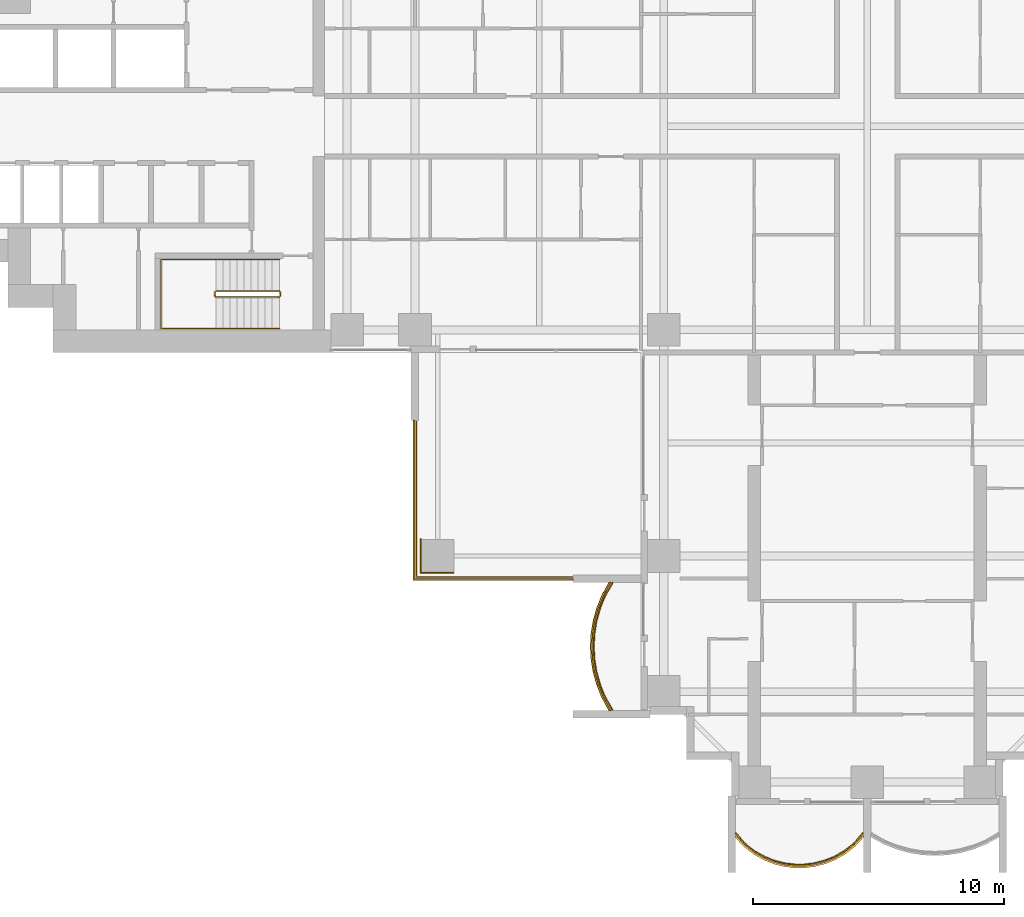
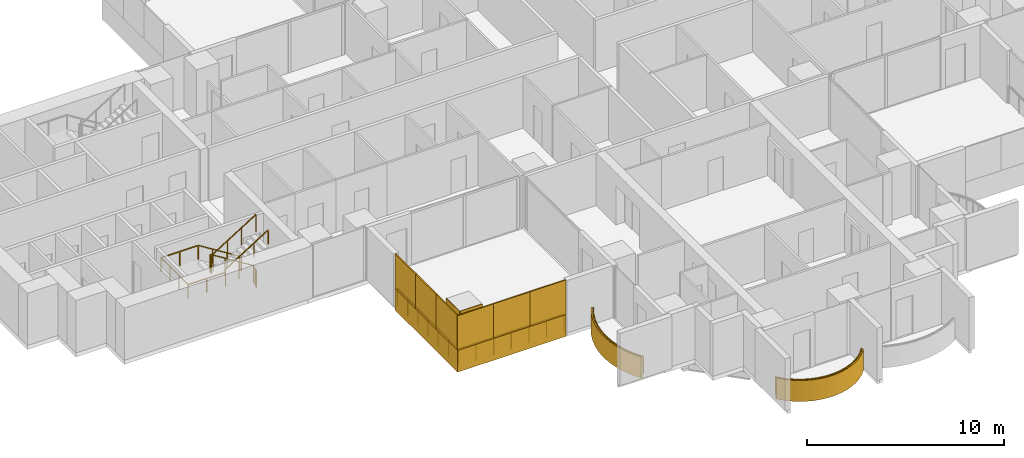
# One storey, part 18 of 21: 11 coverings, 5 railings.
"""IFC4 building model written with IfcOpenShell, lengths in metres."""

from ifc_helpers import new_model, si_unit, direction, frame, origin, origin_2d, place, context, subcontext, project, spatial, polyline, rectangle, outline, extrude, material, layer, layer_set, type_object, element, save


model = new_model("IFC4")

# Units and contexts
model_context = context("Model", 3, precision=1e-05, world=origin(), true_north=direction((0.0, 1.0)))
body_context = subcontext(model_context, "Body", "Model", "MODEL_VIEW")
ifc_project = project(units=[si_unit("LENGTHUNIT", "METRE"), si_unit("AREAUNIT", "SQUARE_METRE"), si_unit("VOLUMEUNIT", "CUBIC_METRE"), si_unit("PLANEANGLEUNIT", "RADIAN"), si_unit("MASSUNIT", "GRAM", prefix="KILO")], contexts=[model_context])

# Site, building, storey
site_placement = place(None, origin())
site = spatial("IfcSite", under=ifc_project, at=site_placement, CompositionType="ELEMENT")
building_placement = place(site_placement, origin())
building = spatial("IfcBuilding", under=site, at=building_placement, Name="Perihelion Cross Residences", CompositionType="ELEMENT")
storey_placement = place(building_placement, frame((0.0, 0.0, 43.5)))
storey = spatial("IfcBuildingStorey", under=building, at=storey_placement, Name="L07", CompositionType="ELEMENT", Elevation=43.5)

# Coverings
ifc_material_1 = material(Name="Bronze anodised aluminium", Category="aluminium")
ifc_layer_1 = layer(ifc_material_1, 0.070068359375)
ifc_layer_set_1 = layer_set([ifc_layer_1], Name="Balcony fascia 1300")
covering_type_1 = type_object("IfcCoveringType", Name="Balcony fascia 1300", PredefinedType="CLADDING", material=ifc_layer_set_1)
covering_1_placement = place(storey_placement, frame((0.0, 0.0, -0.199951171875)))
element("IfcCovering", 1, at=covering_1_placement, inside=storey, type_object=covering_type_1, Name="Fascia BF1 L07 south side west bay 2", PredefinedType="CLADDING", context=body_context, shape_type="SweptSolid", body=[
    extrude(outline(polyline([(-10.54833984375, -18.629638671875), (-10.7607421875, -19.147216796875), (-10.906494140625, -19.664794921875), (-10.991943359375, -20.182373046875), (-11.02001953125, -20.699951171875), (-10.991943359375, -21.217529296875), (-10.906494140625, -21.735107421875), (-10.7607421875, -22.2529296875), (-10.54833984375, -22.7705078125), (-10.2802734375, -23.25), (-10.199951171875, -23.25), (-10.4853515625, -22.739990234375), (-10.694580078125, -22.22998046875), (-10.838134765625, -21.719970703125), (-10.92236328125, -21.2099609375), (-10.949951171875, -20.699951171875), (-10.92236328125, -20.18994140625), (-10.838134765625, -19.679931640625), (-10.694580078125, -19.169921875), (-10.4853515625, -18.659912109375), (-10.199951171875, -18.14990234375), (-10.2802734375, -18.14990234375), (-10.54833984375, -18.629638671875)])), origin(), (0.0, 0.0, 1.0), 1.300048828125),
])
covering_2_placement = place(storey_placement, frame((0.0, 0.0, -0.199951171875)))
element("IfcCovering", 2, at=covering_2_placement, inside=storey, type_object=covering_type_1, Name="Fascia BF1 L07 south tip south bay 1", PredefinedType="CLADDING", context=body_context, shape_type="SweptSolid", body=[
    extrude(outline(polyline([(-4.90478515625, -28.674072265625), (-4.50390625, -28.982666015625), (-4.10302734375, -29.20654296875), (-3.7021484375, -29.364013671875), (-3.30126953125, -29.464599609375), (-2.900390625, -29.513916015625), (-2.49951171875, -29.513916015625), (-2.0986328125, -29.464599609375), (-1.69775390625, -29.364013671875), (-1.296875, -29.20654296875), (-0.89599609375, -28.982666015625), (-0.4951171875, -28.674072265625), (-0.14990234375, -28.302734375), (-0.14990234375, -28.199951171875), (-0.542236328125, -28.622314453125), (-0.9345703125, -28.924072265625), (-1.326904296875, -29.143310546875), (-1.71923828125, -29.29736328125), (-2.111572265625, -29.39599609375), (-2.50390625, -29.444091796875), (-2.896240234375, -29.444091796875), (-3.28857421875, -29.39599609375), (-3.6806640625, -29.29736328125), (-4.072998046875, -29.143310546875), (-4.46533203125, -28.924072265625), (-4.857666015625, -28.622314453125), (-5.25, -28.199951171875), (-5.25, -28.302734375), (-4.90478515625, -28.674072265625)])), origin(), (0.0, 0.0, 1.0), 1.300048828125),
])

# Railings
ifc_material_2 = material(Name="Bronze anodised aluminium", Category="aluminium")
railing_type_1 = type_object("IfcRailingType", Name="Balcony guard 1100", PredefinedType="GUARDRAIL", material=ifc_material_2)
railing_1_placement = place(storey_placement, frame((-10.139892578125, -18.175048828125, 0.0)))
element("IfcRailing", 3, at=railing_1_placement, inside=storey, type_object=railing_type_1, Name="Guard GU1 L07 south side west bay 2 balcony", PredefinedType="GUARDRAIL", context=body_context, shape_type="SweptSolid", body=[
    extrude(rectangle(XDim=0.048095703125, YDim=0.048095703125, at=origin_2d()), frame((0.0, 0.0, 1.076171875), z_axis=(-0.507266632806, -0.861789164031, 0.0), x_axis=(0.861789164031, -0.507266632806, 0.0)), (0.0, 0.0, 1.0), 0.562744140625),
    extrude(rectangle(XDim=0.048095703125, YDim=0.048095703125, at=origin_2d()), frame((-0.285400390625, -0.48486328125, 1.076171875), z_axis=(-0.379546636342, -0.925172605972, 0.0), x_axis=(0.925172605972, -0.379546636342, 0.0)), (0.0, 0.0, 1.0), 0.55126953125),
    extrude(rectangle(XDim=0.048095703125, YDim=0.048095703125, at=origin_2d()), frame((-0.49462890625, -0.994873046875, 1.076171875), z_axis=(-0.271372618732, -0.962474364231, 0.0), x_axis=(0.962474364231, -0.271372618732, 0.0)), (0.0, 0.0, 1.0), 0.52978515625),
    extrude(rectangle(XDim=0.048095703125, YDim=0.048095703125, at=origin_2d()), frame((-0.638427734375, -1.5048828125, 1.076171875), z_axis=(-0.162483799314, -0.986711211531, 0.0), x_axis=(0.986711211531, -0.162483799314, 0.0)), (0.0, 0.0, 1.0), 0.516845703125),
    extrude(rectangle(XDim=0.048095703125, YDim=0.048095703125, at=origin_2d()), frame((-0.722412109375, -2.014892578125, 1.076171875), z_axis=(-0.05401390175, -0.998540183677, 0.0), x_axis=(0.998540183677, -0.05401390175, 0.0)), (0.0, 0.0, 1.0), 0.5107421875),
    extrude(rectangle(XDim=0.048095703125, YDim=0.048095703125, at=origin_2d()), frame((-0.75, -2.52490234375, 1.076171875), z_axis=(0.05401390175, -0.998540183677, 0.0), x_axis=(0.998540183677, 0.05401390175, 0.0)), (0.0, 0.0, 1.0), 0.5107421875),
    extrude(rectangle(XDim=0.048095703125, YDim=0.048095703125, at=origin_2d()), frame((-0.722412109375, -3.034912109375, 1.076171875), z_axis=(0.162483799314, -0.986711211531, 0.0), x_axis=(0.986711211531, 0.162483799314, 0.0)), (0.0, 0.0, 1.0), 0.516845703125),
    extrude(rectangle(XDim=0.048095703125, YDim=0.048095703125, at=origin_2d()), frame((-0.638427734375, -3.544921875, 1.076171875), z_axis=(0.271372618732, -0.962474364231, 0.0), x_axis=(0.962474364231, 0.271372618732, 0.0)), (0.0, 0.0, 1.0), 0.52978515625),
    extrude(rectangle(XDim=0.048095703125, YDim=0.048095703125, at=origin_2d()), frame((-0.49462890625, -4.054931640625, 1.076171875), z_axis=(0.379546636342, -0.925172605972, 0.0), x_axis=(0.925172605972, 0.379546636342, 0.0)), (0.0, 0.0, 1.0), 0.55126953125),
    extrude(rectangle(XDim=0.048095703125, YDim=0.048095703125, at=origin_2d()), frame((-0.285400390625, -4.56494140625, 1.076171875), z_axis=(0.507076995033, -0.861900760591, 0.0), x_axis=(0.861900760591, 0.507076995033, 0.0)), (0.0, 0.0, 1.0), 0.562744140625),
    extrude(rectangle(XDim=0.0419921875, YDim=0.0419921875, at=origin_2d()), origin(), (0.0, 0.0, 1.0), 1.052001953125),
    extrude(rectangle(XDim=0.0419921875, YDim=0.0419921875, at=origin_2d()), frame((-0.285400390625, -0.48486328125, 0.0)), (0.0, 0.0, 1.0), 1.052001953125),
    extrude(rectangle(XDim=0.0419921875, YDim=0.0419921875, at=origin_2d()), frame((-0.49462890625, -0.994873046875, 0.0)), (0.0, 0.0, 1.0), 1.052001953125),
    extrude(rectangle(XDim=0.0419921875, YDim=0.0419921875, at=origin_2d()), frame((-0.638427734375, -1.5048828125, 0.0)), (0.0, 0.0, 1.0), 1.052001953125),
    extrude(rectangle(XDim=0.0419921875, YDim=0.0419921875, at=origin_2d()), frame((-0.722412109375, -2.014892578125, 0.0)), (0.0, 0.0, 1.0), 1.052001953125),
    extrude(rectangle(XDim=0.0419921875, YDim=0.0419921875, at=origin_2d()), frame((-0.75, -2.52490234375, 0.0)), (0.0, 0.0, 1.0), 1.052001953125),
    extrude(rectangle(XDim=0.0419921875, YDim=0.0419921875, at=origin_2d()), frame((-0.722412109375, -3.034912109375, 0.0)), (0.0, 0.0, 1.0), 1.052001953125),
    extrude(rectangle(XDim=0.0419921875, YDim=0.0419921875, at=origin_2d()), frame((-0.638427734375, -3.544921875, 0.0)), (0.0, 0.0, 1.0), 1.052001953125),
    extrude(rectangle(XDim=0.0419921875, YDim=0.0419921875, at=origin_2d()), frame((-0.49462890625, -4.054931640625, 0.0)), (0.0, 0.0, 1.0), 1.052001953125),
    extrude(rectangle(XDim=0.0419921875, YDim=0.0419921875, at=origin_2d()), frame((-0.285400390625, -4.56494140625, 0.0)), (0.0, 0.0, 1.0), 1.052001953125),
    extrude(rectangle(XDim=0.0419921875, YDim=0.0419921875, at=origin_2d()), frame((0.0, -5.050048828125, 0.0)), (0.0, 0.0, 1.0), 1.052001953125),
])
railing_2_placement = place(storey_placement, frame((-5.22509765625, -28.139892578125, 0.0)))
element("IfcRailing", 4, at=railing_2_placement, inside=storey, type_object=railing_type_1, Name="Guard GU1 L07 south tip south bay 1 balcony", PredefinedType="GUARDRAIL", context=body_context, shape_type="SweptSolid", body=[
    extrude(rectangle(XDim=0.048095703125, YDim=0.048095703125, at=origin_2d()), frame((0.0, 0.0, 1.076171875), z_axis=(0.656340655493, -0.754464673757, 0.0), x_axis=(0.754464673757, 0.656340655493, 0.0)), (0.0, 0.0, 1.0), 0.559814453125),
    extrude(rectangle(XDim=0.048095703125, YDim=0.048095703125, at=origin_2d()), frame((0.367431640625, -0.42236328125, 1.076171875), z_axis=(0.792660660899, -0.60966308455, 0.0), x_axis=(0.60966308455, 0.792660660899, 0.0)), (0.0, 0.0, 1.0), 0.494873046875),
    extrude(rectangle(XDim=0.048095703125, YDim=0.048095703125, at=origin_2d()), frame((0.759765625, -0.72412109375, 1.076171875), z_axis=(0.872950285698, -0.487809182674, 0.0), x_axis=(0.487809182674, 0.872950285698, 0.0)), (0.0, 0.0, 1.0), 0.449462890625),
    extrude(rectangle(XDim=0.048095703125, YDim=0.048095703125, at=origin_2d()), frame((1.152099609375, -0.943359375, 1.076171875), z_axis=(0.930814842219, -0.365491079925, 0.0), x_axis=(0.365491079925, 0.930814842219, 0.0)), (0.0, 0.0, 1.0), 0.42138671875),
    extrude(rectangle(XDim=0.048095703125, YDim=0.048095703125, at=origin_2d()), frame((1.54443359375, -1.097412109375, 1.076171875), z_axis=(0.969786252666, -0.243956193074, 0.0), x_axis=(0.243956193074, 0.969786252666, 0.0)), (0.0, 0.0, 1.0), 0.404296875),
    extrude(rectangle(XDim=0.048095703125, YDim=0.048095703125, at=origin_2d()), frame((1.9365234375, -1.196044921875, 1.076171875), z_axis=(0.992569651699, -0.121677797999, 0.0), x_axis=(0.121677797999, 0.992569651699, 0.0)), (0.0, 0.0, 1.0), 0.395263671875),
    extrude(rectangle(XDim=0.048095703125, YDim=0.048095703125, at=origin_2d()), frame((2.328857421875, -1.244140625, 1.076171875), z_axis=(1.0, 0.0, 0.0), x_axis=(0.0, 1.0, 0.0)), (0.0, 0.0, 1.0), 0.392333984375),
    extrude(rectangle(XDim=0.048095703125, YDim=0.048095703125, at=origin_2d()), frame((2.72119140625, -1.244140625, 1.076171875), z_axis=(0.992569651699, 0.121677797999, 0.0), x_axis=(-0.121677797999, 0.992569651699, 0.0)), (0.0, 0.0, 1.0), 0.395263671875),
    extrude(rectangle(XDim=0.048095703125, YDim=0.048095703125, at=origin_2d()), frame((3.113525390625, -1.196044921875, 1.076171875), z_axis=(0.969822159145, 0.243813411509, 0.0), x_axis=(-0.243813411509, 0.969822159145, 0.0)), (0.0, 0.0, 1.0), 0.404541015625),
    extrude(rectangle(XDim=0.048095703125, YDim=0.048095703125, at=origin_2d()), frame((3.505859375, -1.097412109375, 1.076171875), z_axis=(0.930814842219, 0.365491079925, 0.0), x_axis=(-0.365491079925, 0.930814842219, 0.0)), (0.0, 0.0, 1.0), 0.42138671875),
    extrude(rectangle(XDim=0.048095703125, YDim=0.048095703125, at=origin_2d()), frame((3.898193359375, -0.943359375, 1.076171875), z_axis=(0.872950285698, 0.487809182674, 0.0), x_axis=(-0.487809182674, 0.872950285698, 0.0)), (0.0, 0.0, 1.0), 0.449462890625),
    extrude(rectangle(XDim=0.048095703125, YDim=0.048095703125, at=origin_2d()), frame((4.29052734375, -0.72412109375, 1.076171875), z_axis=(0.792660660899, 0.60966308455, 0.0), x_axis=(-0.60966308455, 0.792660660899, 0.0)), (0.0, 0.0, 1.0), 0.494873046875),
    extrude(rectangle(XDim=0.048095703125, YDim=0.048095703125, at=origin_2d()), frame((4.682861328125, -0.42236328125, 1.076171875), z_axis=(0.656092309534, 0.754680648599, 0.0), x_axis=(-0.754680648599, 0.656092309534, 0.0)), (0.0, 0.0, 1.0), 0.5595703125),
    extrude(rectangle(XDim=0.0419921875, YDim=0.0419921875, at=origin_2d()), origin(), (0.0, 0.0, 1.0), 1.052001953125),
    extrude(rectangle(XDim=0.0419921875, YDim=0.0419921875, at=origin_2d()), frame((0.367431640625, -0.42236328125, 0.0)), (0.0, 0.0, 1.0), 1.052001953125),
    extrude(rectangle(XDim=0.0419921875, YDim=0.0419921875, at=origin_2d()), frame((0.759765625, -0.72412109375, 0.0)), (0.0, 0.0, 1.0), 1.052001953125),
    extrude(rectangle(XDim=0.0419921875, YDim=0.0419921875, at=origin_2d()), frame((1.152099609375, -0.943359375, 0.0)), (0.0, 0.0, 1.0), 1.052001953125),
    extrude(rectangle(XDim=0.0419921875, YDim=0.0419921875, at=origin_2d()), frame((1.54443359375, -1.097412109375, 0.0)), (0.0, 0.0, 1.0), 1.052001953125),
    extrude(rectangle(XDim=0.0419921875, YDim=0.0419921875, at=origin_2d()), frame((1.9365234375, -1.196044921875, 0.0)), (0.0, 0.0, 1.0), 1.052001953125),
    extrude(rectangle(XDim=0.0419921875, YDim=0.0419921875, at=origin_2d()), frame((2.328857421875, -1.244140625, 0.0)), (0.0, 0.0, 1.0), 1.052001953125),
    extrude(rectangle(XDim=0.0419921875, YDim=0.0419921875, at=origin_2d()), frame((2.72119140625, -1.244140625, 0.0)), (0.0, 0.0, 1.0), 1.052001953125),
    extrude(rectangle(XDim=0.0419921875, YDim=0.0419921875, at=origin_2d()), frame((3.113525390625, -1.196044921875, 0.0)), (0.0, 0.0, 1.0), 1.052001953125),
    extrude(rectangle(XDim=0.0419921875, YDim=0.0419921875, at=origin_2d()), frame((3.505859375, -1.097412109375, 0.0)), (0.0, 0.0, 1.0), 1.052001953125),
    extrude(rectangle(XDim=0.0419921875, YDim=0.0419921875, at=origin_2d()), frame((3.898193359375, -0.943359375, 0.0)), (0.0, 0.0, 1.0), 1.052001953125),
    extrude(rectangle(XDim=0.0419921875, YDim=0.0419921875, at=origin_2d()), frame((4.29052734375, -0.72412109375, 0.0)), (0.0, 0.0, 1.0), 1.052001953125),
    extrude(rectangle(XDim=0.0419921875, YDim=0.0419921875, at=origin_2d()), frame((4.682861328125, -0.42236328125, 0.0)), (0.0, 0.0, 1.0), 1.052001953125),
    extrude(rectangle(XDim=0.0419921875, YDim=0.0419921875, at=origin_2d()), frame((5.050048828125, 0.0, 0.0)), (0.0, 0.0, 1.0), 1.052001953125),
])
railing_3_placement = place(storey_placement, frame((-11.739990234375, -17.93994140625, 0.0)))
element("IfcRailing", 5, at=railing_3_placement, inside=storey, type_object=railing_type_1, Name="Guard GU1 L07 pocket south-west 1", PredefinedType="GUARDRAIL", context=body_context, shape_type="SweptSolid", body=[
    extrude(rectangle(XDim=0.048095703125, YDim=0.048095703125, at=origin_2d()), frame((0.0, 0.0, 1.076171875), z_axis=(-1.0, 0.0, 0.0), x_axis=(0.0, -1.0, 0.0)), (0.0, 0.0, 1.0), 6.199951171875),
    extrude(rectangle(XDim=0.048095703125, YDim=0.048095703125, at=origin_2d()), frame((-6.199951171875, 0.0, 1.076171875), z_axis=(0.0, 1.0, 0.0), x_axis=(-1.0, 0.0, 0.0)), (0.0, 0.0, 1.0), 6.199951171875),
    extrude(rectangle(XDim=0.0419921875, YDim=0.0419921875, at=origin_2d()), origin(), (0.0, 0.0, 1.0), 1.052001953125),
    extrude(rectangle(XDim=0.0419921875, YDim=0.0419921875, at=origin_2d()), frame((-1.033203125, 0.0, 0.0)), (0.0, 0.0, 1.0), 1.052001953125),
    extrude(rectangle(XDim=0.0419921875, YDim=0.0419921875, at=origin_2d()), frame((-2.066650390625, 0.0, 0.0)), (0.0, 0.0, 1.0), 1.052001953125),
    extrude(rectangle(XDim=0.0419921875, YDim=0.0419921875, at=origin_2d()), frame((-3.10009765625, 0.0, 0.0)), (0.0, 0.0, 1.0), 1.052001953125),
    extrude(rectangle(XDim=0.0419921875, YDim=0.0419921875, at=origin_2d()), frame((-4.13330078125, 0.0, 0.0)), (0.0, 0.0, 1.0), 1.052001953125),
    extrude(rectangle(XDim=0.0419921875, YDim=0.0419921875, at=origin_2d()), frame((-5.16650390625, 0.0, 0.0)), (0.0, 0.0, 1.0), 1.052001953125),
    extrude(rectangle(XDim=0.0419921875, YDim=0.0419921875, at=origin_2d()), frame((-6.199951171875, 0.0, 0.0)), (0.0, 0.0, 1.0), 1.052001953125),
    extrude(rectangle(XDim=0.0419921875, YDim=0.0419921875, at=origin_2d()), frame((-6.199951171875, 1.033203125, 0.0)), (0.0, 0.0, 1.0), 1.052001953125),
    extrude(rectangle(XDim=0.0419921875, YDim=0.0419921875, at=origin_2d()), frame((-6.199951171875, 2.066650390625, 0.0)), (0.0, 0.0, 1.0), 1.052001953125),
    extrude(rectangle(XDim=0.0419921875, YDim=0.0419921875, at=origin_2d()), frame((-6.199951171875, 3.10009765625, 0.0)), (0.0, 0.0, 1.0), 1.052001953125),
    extrude(rectangle(XDim=0.0419921875, YDim=0.0419921875, at=origin_2d()), frame((-6.199951171875, 4.13330078125, 0.0)), (0.0, 0.0, 1.0), 1.052001953125),
    extrude(rectangle(XDim=0.0419921875, YDim=0.0419921875, at=origin_2d()), frame((-6.199951171875, 5.16650390625, 0.0)), (0.0, 0.0, 1.0), 1.052001953125),
    extrude(rectangle(XDim=0.0419921875, YDim=0.0419921875, at=origin_2d()), frame((-6.199951171875, 6.199951171875, 0.0)), (0.0, 0.0, 1.0), 1.052001953125),
])

# Coverings
ifc_material_3 = material(Name="Bronze anodised aluminium", Category="aluminium")
ifc_layer_2 = layer(ifc_material_3, 0.0400390625)
ifc_layer_set_2 = layer_set([ifc_layer_2], Name="Bronze column casing 40")
covering_type_2 = type_object("IfcCoveringType", Name="Bronze column casing 40", PredefinedType="CLADDING", material=ifc_layer_set_2)
covering_3_placement = place(storey_placement, frame((-17.77001953125, -17.10009765625, -0.25), z_axis=(0.0, 0.0, 1.0), x_axis=(1.0, 0.0, 0.0)))
element("IfcCovering", 6, at=covering_3_placement, inside=storey, type_object=covering_type_2, Name="Cladding CC1 L07 casing east-west no. 1", PredefinedType="CLADDING", context=body_context, shape_type="SweptSolid", body=[
    extrude(rectangle(XDim=0.0400390625, YDim=1.3798828125, at=origin_2d()), origin(), (0.0, 0.0, 1.0), 3.5),
])
covering_4_placement = place(storey_placement, frame((-17.10009765625, -17.77001953125, -0.25), z_axis=(0.0, 0.0, 1.0), x_axis=(1.0, 0.0, 0.0)))
element("IfcCovering", 7, at=covering_4_placement, inside=storey, type_object=covering_type_2, Name="Cladding CC1 L07 casing north-south no. 1", PredefinedType="CLADDING", context=body_context, shape_type="SweptSolid", body=[
    extrude(rectangle(XDim=1.300048828125, YDim=0.0400390625, at=origin_2d()), origin(), (0.0, 0.0, 1.0), 3.5),
])
ifc_material_4 = material(Name="Bronze anodised aluminium", Category="aluminium")
ifc_layer_3 = layer(ifc_material_4, 0.070068359375)
ifc_layer_set_3 = layer_set([ifc_layer_3], Name="Pocket fascia 1350")
covering_type_3 = type_object("IfcCoveringType", Name="Pocket fascia 1350", PredefinedType="CLADDING", material=ifc_layer_set_3)
covering_5_placement = place(storey_placement, frame((0.0, 0.0, -0.25)))
element("IfcCovering", 8, at=covering_5_placement, inside=storey, type_object=covering_type_3, Name="Fascia BF2 L07 pocket south-west 1", PredefinedType="CLADDING", context=body_context, shape_type="SweptSolid", body=[
    extrude(outline(polyline([(-18.070068359375, -11.699951171875), (-18.070068359375, -18.070068359375), (-11.699951171875, -18.070068359375), (-11.699951171875, -18.0), (-18.0, -18.0), (-18.0, -11.699951171875), (-18.070068359375, -11.699951171875)])), origin(), (0.0, 0.0, 1.0), 1.35009765625),
])
ifc_material_5 = material(Name="Bronze perforated aluminium", Category="aluminium")
ifc_layer_4 = layer(ifc_material_5, 0.070068359375)
ifc_layer_set_4 = layer_set([ifc_layer_4], Name="Pocket solar screen, bronze perforated")
covering_type_4 = type_object("IfcCoveringType", Name="Pocket solar screen, bronze perforated", PredefinedType="CLADDING", material=ifc_layer_set_4)
covering_6_placement = place(storey_placement, frame((0.0, 0.0, 1.10009765625)))
element("IfcCovering", 9, at=covering_6_placement, inside=storey, type_object=covering_type_4, Name="Solar screen PS1 L07 pocket south-west no. 1", PredefinedType="CLADDING", context=body_context, shape_type="SweptSolid", body=[
    extrude(outline(polyline([(-18.0, -18.0), (-18.0, -15.89990234375), (-18.070068359375, -15.89990234375), (-18.070068359375, -18.0), (-18.0, -18.0)])), origin(), (0.0, 0.0, 1.0), 2.14990234375),
])
covering_7_placement = place(storey_placement, frame((0.0, 0.0, 1.10009765625)))
element("IfcCovering", 10, at=covering_7_placement, inside=storey, type_object=covering_type_4, Name="Solar screen PS1 L07 pocket south-west no. 2", PredefinedType="CLADDING", context=body_context, shape_type="SweptSolid", body=[
    extrude(outline(polyline([(-18.0, -15.89990234375), (-18.0, -13.800048828125), (-18.070068359375, -13.800048828125), (-18.070068359375, -15.89990234375), (-18.0, -15.89990234375)])), origin(), (0.0, 0.0, 1.0), 2.14990234375),
])
covering_8_placement = place(storey_placement, frame((0.0, 0.0, 1.10009765625)))
element("IfcCovering", 11, at=covering_8_placement, inside=storey, type_object=covering_type_4, Name="Solar screen PS1 L07 pocket south-west no. 3", PredefinedType="CLADDING", context=body_context, shape_type="SweptSolid", body=[
    extrude(outline(polyline([(-18.0, -13.800048828125), (-18.0, -11.699951171875), (-18.070068359375, -11.699951171875), (-18.070068359375, -13.800048828125), (-18.0, -13.800048828125)])), origin(), (0.0, 0.0, 1.0), 2.14990234375),
])
covering_9_placement = place(storey_placement, frame((0.0, 0.0, 1.10009765625)))
element("IfcCovering", 12, at=covering_9_placement, inside=storey, type_object=covering_type_4, Name="Solar screen PS1 L07 pocket south-west no. 4", PredefinedType="CLADDING", context=body_context, shape_type="SweptSolid", body=[
    extrude(outline(polyline([(-15.94677734375, -18.070068359375), (-15.94677734375, -18.0), (-18.070068359375, -18.0), (-18.070068359375, -18.070068359375), (-15.94677734375, -18.070068359375)])), origin(), (0.0, 0.0, 1.0), 2.14990234375),
])
covering_10_placement = place(storey_placement, frame((0.0, 0.0, 1.10009765625)))
element("IfcCovering", 13, at=covering_10_placement, inside=storey, type_object=covering_type_4, Name="Solar screen PS1 L07 pocket south-west no. 5", PredefinedType="CLADDING", context=body_context, shape_type="SweptSolid", body=[
    extrude(outline(polyline([(-13.8232421875, -18.070068359375), (-13.8232421875, -18.0), (-15.94677734375, -18.0), (-15.94677734375, -18.070068359375), (-13.8232421875, -18.070068359375)])), origin(), (0.0, 0.0, 1.0), 2.14990234375),
])
covering_11_placement = place(storey_placement, frame((0.0, 0.0, 1.10009765625)))
element("IfcCovering", 14, at=covering_11_placement, inside=storey, type_object=covering_type_4, Name="Solar screen PS1 L07 pocket south-west no. 6", PredefinedType="CLADDING", context=body_context, shape_type="SweptSolid", body=[
    extrude(outline(polyline([(-11.699951171875, -18.070068359375), (-11.699951171875, -18.0), (-13.8232421875, -18.0), (-13.8232421875, -18.070068359375), (-11.699951171875, -18.070068359375)])), origin(), (0.0, 0.0, 1.0), 2.14990234375),
])

# Railings
ifc_material_6 = material(Name="Stainless steel", Category="steel")
railing_type_2 = type_object("IfcRailingType", Name="Stair guard 1100", PredefinedType="GUARDRAIL", material=ifc_material_6)
railing_4_placement = place(storey_placement, frame((-23.35009765625, -6.75, 0.0)))
element("IfcRailing", 15, at=railing_4_placement, inside=storey, type_object=railing_type_2, Name="L07 ST-W2 stair guard 1", PredefinedType="GUARDRAIL", context=body_context, shape_type="SweptSolid", body=[
    extrude(rectangle(XDim=0.048095703125, YDim=0.048095703125, at=origin_2d()), frame((0.0, 0.0, 1.076171875), z_axis=(0.0, 1.0, 0.0), x_axis=(-1.0, 0.0, 0.0)), (0.0, 0.0, 1.0), 0.14990234375),
    extrude(rectangle(XDim=0.048095703125, YDim=0.048095703125, at=origin_2d()), frame((0.0, 0.14990234375, 1.076171875), z_axis=(-0.263862480399, 0.265155923931, 0.927399011991), x_axis=(-0.708833529934, -0.705375805398, 0.0)), (0.0, 0.0, 1.0), 0.188720703125),
    extrude(rectangle(XDim=0.048095703125, YDim=0.048095703125, at=origin_2d()), frame((-0.0498046875, 0.199951171875, 1.2509765625), z_axis=(-0.848007534815, 0.0, 0.529984170421), x_axis=(0.0, -1.0, 0.0)), (0.0, 0.0, 1.0), 2.9716796875),
    extrude(rectangle(XDim=0.048095703125, YDim=0.048095703125, at=origin_2d()), frame((-2.56982421875, 0.199951171875, 2.826171875), z_axis=(-0.707106781187, -0.707106781187, 0.0), x_axis=(0.707106781187, -0.707106781187, 0.0)), (0.0, 0.0, 1.0), 0.07080078125),
    extrude(rectangle(XDim=0.048095703125, YDim=0.048095703125, at=origin_2d()), frame((-2.619873046875, 0.14990234375, 2.826171875), z_axis=(0.0, -1.0, 0.0), x_axis=(1.0, 0.0, 0.0)), (0.0, 0.0, 1.0), 0.14990234375),
    extrude(rectangle(XDim=0.048095703125, YDim=0.048095703125, at=origin_2d()), frame((-2.619873046875, 0.0, 2.826171875), z_axis=(0.265065253269, -0.265065253269, 0.927081885822), x_axis=(0.707106781187, 0.707106781187, 0.0)), (0.0, 0.0, 1.0), 0.188720703125),
    extrude(rectangle(XDim=0.048095703125, YDim=0.048095703125, at=origin_2d()), frame((-2.56982421875, -0.050048828125, 3.0009765625), z_axis=(0.848007534815, 0.0, 0.529984170421), x_axis=(0.0, 1.0, 0.0)), (0.0, 0.0, 1.0), 2.9716796875),
    extrude(rectangle(XDim=0.0419921875, YDim=0.0419921875, at=origin_2d()), origin(), (0.0, 0.0, 1.0), 1.052001953125),
    extrude(rectangle(XDim=0.0419921875, YDim=0.0419921875, at=origin_2d()), frame((0.0, 0.14990234375, 0.0)), (0.0, 0.0, 1.0), 1.052001953125),
    extrude(rectangle(XDim=0.0419921875, YDim=0.0419921875, at=origin_2d()), frame((-0.0498046875, 0.199951171875, 0.175048828125)), (0.0, 0.0, 1.0), 1.052001953125),
    extrude(rectangle(XDim=0.0419921875, YDim=0.0419921875, at=origin_2d()), frame((-0.889892578125, 0.199951171875, 0.699951171875)), (0.0, 0.0, 1.0), 1.052001953125),
    extrude(rectangle(XDim=0.0419921875, YDim=0.0419921875, at=origin_2d()), frame((-1.729736328125, 0.199951171875, 1.22509765625)), (0.0, 0.0, 1.0), 1.052001953125),
    extrude(rectangle(XDim=0.0419921875, YDim=0.0419921875, at=origin_2d()), frame((-2.56982421875, 0.199951171875, 1.75)), (0.0, 0.0, 1.0), 1.052001953125),
    extrude(rectangle(XDim=0.0419921875, YDim=0.0419921875, at=origin_2d()), frame((-2.619873046875, 0.14990234375, 1.75)), (0.0, 0.0, 1.0), 1.052001953125),
    extrude(rectangle(XDim=0.0419921875, YDim=0.0419921875, at=origin_2d()), frame((-2.619873046875, 0.0, 1.75)), (0.0, 0.0, 1.0), 1.052001953125),
    extrude(rectangle(XDim=0.0419921875, YDim=0.0419921875, at=origin_2d()), frame((-2.56982421875, -0.050048828125, 1.925048828125)), (0.0, 0.0, 1.0), 1.052001953125),
    extrude(rectangle(XDim=0.0419921875, YDim=0.0419921875, at=origin_2d()), frame((-1.729736328125, -0.050048828125, 2.449951171875)), (0.0, 0.0, 1.0), 1.052001953125),
    extrude(rectangle(XDim=0.0419921875, YDim=0.0419921875, at=origin_2d()), frame((-0.889892578125, -0.050048828125, 2.97509765625)), (0.0, 0.0, 1.0), 1.052001953125),
    extrude(rectangle(XDim=0.0419921875, YDim=0.0419921875, at=origin_2d()), frame((-0.0498046875, -0.050048828125, 3.5)), (0.0, 0.0, 1.0), 1.052001953125),
])
ifc_material_7 = material(Name="Stainless steel", Category="steel")
railing_type_3 = type_object("IfcRailingType", Name="Stair handrail 900", PredefinedType="HANDRAIL", material=ifc_material_7)
railing_5_placement = place(storey_placement, frame((-23.39990234375, -5.300048828125, 0.175048828125)))
element("IfcRailing", 16, at=railing_5_placement, inside=storey, type_object=railing_type_3, Name="L07 ST-W2 stair handrail 1", PredefinedType="HANDRAIL", context=body_context, shape_type="SweptSolid", body=[
    extrude(rectangle(XDim=0.048095703125, YDim=0.048095703125, at=origin_2d()), frame((0.0, 0.0, 0.8759765625), z_axis=(-0.848007534815, 0.0, 0.529984170421), x_axis=(0.0, -1.0, 0.0)), (0.0, 0.0, 1.0), 2.9716796875),
    extrude(rectangle(XDim=0.048095703125, YDim=0.048095703125, at=origin_2d()), frame((-2.52001953125, 0.0, 2.45068359375), z_axis=(-1.0, 0.0, 0.0), x_axis=(0.0, -1.0, 0.0)), (0.0, 0.0, 1.0), 2.18017578125),
    extrude(rectangle(XDim=0.048095703125, YDim=0.048095703125, at=origin_2d()), frame((-4.7001953125, 0.0, 2.45068359375), z_axis=(0.0, -1.0, 0.0), x_axis=(1.0, 0.0, 0.0)), (0.0, 0.0, 1.0), 2.75),
    extrude(rectangle(XDim=0.048095703125, YDim=0.048095703125, at=origin_2d()), frame((-4.7001953125, -2.75, 2.45068359375), z_axis=(1.0, 0.0, 0.0), x_axis=(0.0, 1.0, 0.0)), (0.0, 0.0, 1.0), 2.18017578125),
    extrude(rectangle(XDim=0.048095703125, YDim=0.048095703125, at=origin_2d()), frame((-2.52001953125, -2.75, 2.45068359375), z_axis=(0.0, 0.0, 1.0), x_axis=(1.0, 0.0, 0.0)), (0.0, 0.0, 1.0), 0.175048828125),
    extrude(rectangle(XDim=0.048095703125, YDim=0.048095703125, at=origin_2d()), frame((-2.52001953125, -2.75, 2.6259765625), z_axis=(0.848007534815, 0.0, 0.529984170421), x_axis=(0.0, 1.0, 0.0)), (0.0, 0.0, 1.0), 2.9716796875),
    extrude(rectangle(XDim=0.0419921875, YDim=0.0419921875, at=origin_2d()), origin(), (0.0, 0.0, 1.0), 0.851806640625),
    extrude(rectangle(XDim=0.0419921875, YDim=0.0419921875, at=origin_2d()), frame((-0.840087890625, 0.0, 0.52490234375)), (0.0, 0.0, 1.0), 0.851806640625),
    extrude(rectangle(XDim=0.0419921875, YDim=0.0419921875, at=origin_2d()), frame((-1.679931640625, 0.0, 1.050048828125)), (0.0, 0.0, 1.0), 0.851806640625),
    extrude(rectangle(XDim=0.0419921875, YDim=0.0419921875, at=origin_2d()), frame((-2.52001953125, 0.0, 1.574951171875)), (0.0, 0.0, 1.0), 0.851806640625),
    extrude(rectangle(XDim=0.0419921875, YDim=0.0419921875, at=origin_2d()), frame((-3.610107421875, 0.0, 1.574951171875)), (0.0, 0.0, 1.0), 0.851806640625),
    extrude(rectangle(XDim=0.0419921875, YDim=0.0419921875, at=origin_2d()), frame((-4.7001953125, 0.0, 1.574951171875)), (0.0, 0.0, 1.0), 0.851806640625),
    extrude(rectangle(XDim=0.0419921875, YDim=0.0419921875, at=origin_2d()), frame((-4.7001953125, -0.916748046875, 1.574951171875)), (0.0, 0.0, 1.0), 0.851806640625),
    extrude(rectangle(XDim=0.0419921875, YDim=0.0419921875, at=origin_2d()), frame((-4.7001953125, -1.833251953125, 1.574951171875)), (0.0, 0.0, 1.0), 0.851806640625),
    extrude(rectangle(XDim=0.0419921875, YDim=0.0419921875, at=origin_2d()), frame((-4.7001953125, -2.75, 1.574951171875)), (0.0, 0.0, 1.0), 0.851806640625),
    extrude(rectangle(XDim=0.0419921875, YDim=0.0419921875, at=origin_2d()), frame((-3.610107421875, -2.75, 1.574951171875)), (0.0, 0.0, 1.0), 0.851806640625),
    extrude(rectangle(XDim=0.0419921875, YDim=0.0419921875, at=origin_2d()), frame((-2.52001953125, -2.75, 1.574951171875)), (0.0, 0.0, 1.0), 0.851806640625),
    extrude(rectangle(XDim=0.0419921875, YDim=0.0419921875, at=origin_2d()), frame((-2.52001953125, -2.75, 1.75)), (0.0, 0.0, 1.0), 0.851806640625),
    extrude(rectangle(XDim=0.0419921875, YDim=0.0419921875, at=origin_2d()), frame((-1.679931640625, -2.75, 2.27490234375)), (0.0, 0.0, 1.0), 0.851806640625),
    extrude(rectangle(XDim=0.0419921875, YDim=0.0419921875, at=origin_2d()), frame((-0.840087890625, -2.75, 2.800048828125)), (0.0, 0.0, 1.0), 0.851806640625),
    extrude(rectangle(XDim=0.0419921875, YDim=0.0419921875, at=origin_2d()), frame((0.0, -2.75, 3.324951171875)), (0.0, 0.0, 1.0), 0.851806640625),
])

save(model, "model.ifc")
